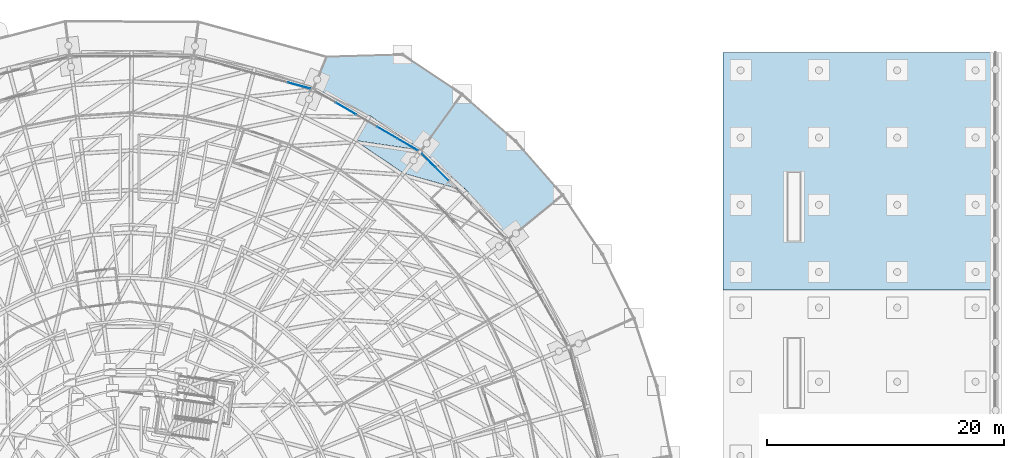
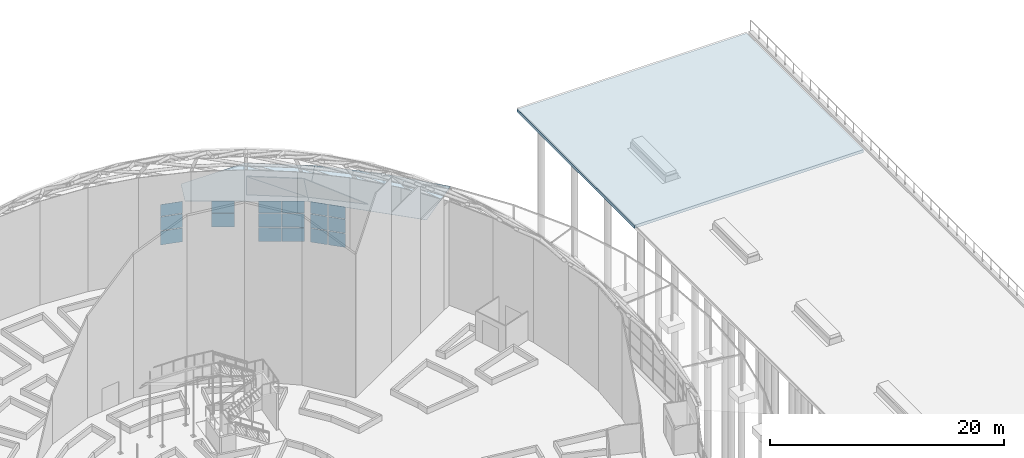
# One storey, part 158 of 226: 22 plates, 1 slab, 3 elements without a shape of their own.
"""IFC4 building model written with IfcOpenShell, lengths in metres."""

from ifc_helpers import new_model, si_unit, direction, frame, origin, origin_2d, place, context, subcontext, project, spatial, polyline, rectangle, outline, extrude, material, layer, layer_set, type_object, element, aggregate, save


model = new_model("IFC4")

# Units and contexts
model_context = context("Model", 3, precision=1e-05, world=origin(), true_north=direction((0.0, 1.0)))
body_context = subcontext(model_context, "Body", "Model", "MODEL_VIEW")
ifc_project = project(units=[si_unit("LENGTHUNIT", "METRE"), si_unit("AREAUNIT", "SQUARE_METRE"), si_unit("VOLUMEUNIT", "CUBIC_METRE"), si_unit("PLANEANGLEUNIT", "RADIAN"), si_unit("MASSUNIT", "GRAM", prefix="KILO")], contexts=[model_context])

# Site, building, storey
site_placement = place(None, origin())
site = spatial("IfcSite", under=ifc_project, at=site_placement, CompositionType="ELEMENT")
building_placement = place(site_placement, origin())
building = spatial("IfcBuilding", under=site, at=building_placement, Name="Ceibo Conservatory and Research Tower", CompositionType="ELEMENT")
storey_placement = place(building_placement, origin())
storey = spatial("IfcBuildingStorey", under=building, at=storey_placement, Name="L00", CompositionType="ELEMENT", Elevation=0.0)

# Plates
ifc_material_1 = material(Name="Laminated glass", Category="glass")
ifc_layer_1 = layer(ifc_material_1, 0.02490234375)
ifc_layer_set_1 = layer_set([ifc_layer_1], Name="Laminated glass")
plate_type_1 = type_object("IfcPlateType", Name="Canopy glass 25", PredefinedType="SHEET", material=ifc_layer_set_1)
plate_1_placement = place(storey_placement, frame((188.0390625, 132.363037109375, 4.07275390625), z_axis=(-0.032399473251, -0.032271892088, -0.998953852345), x_axis=(-0.70401327518, 0.710186803858, -0.000109527201)))
element("IfcPlate", 1, at=plate_1_placement, inside=storey, type_object=plate_type_1, Name="Brim canopy plate A-CP03", PredefinedType="SHEET", context=body_context, shape_type="SweptSolid", body=[
    extrude(outline(polyline([(0.0, 0.0), (10.507265108545, -8.881784197001252e-16), (11.456869378744157, 5.68002471924514), (5.454453826027041, 6.100185760390339), (-0.5514018001971586, 5.73245075922043), (0.0, 0.0)])), origin(), (0.0, 0.0, 1.0), 0.02490234375),
])
plate_2_placement = place(storey_placement, frame((180.641845703125, 139.8251953125, 4.07275390625), z_axis=(-0.022985982183, -0.039445822889, -0.99895729222), x_axis=(-0.863831514347, 0.503780819965, -1.6049937e-05)))
element("IfcPlate", 2, at=plate_2_placement, inside=storey, type_object=plate_type_1, Name="Brim canopy plate A-CP04", PredefinedType="SHEET", context=body_context, shape_type="SweptSolid", body=[
    extrude(outline(polyline([(0.0, 0.0), (10.507447211632623, 0.0), (10.866316722874252, 2.7292034137246515), (5.454555761641787, 6.100204114682614), (-0.551280969598366, 5.732409779271425), (0.0, 0.0)])), origin(), (0.0, 0.0, 1.0), 0.02490234375),
])

# Curtain wall, plates
ifc_material_2 = material(Name="Aluminium and glass", Category="aluminium")
curtain_wall_type = type_object("IfcCurtainWallType", Name="Drum curtain wall", PredefinedType="NOTDEFINED", material=ifc_material_2)
curtain_wall_1_placement = place(storey_placement, origin())
curtain_wall_1 = element("IfcCurtainWall", 3, at=curtain_wall_1_placement, inside=storey, type_object=curtain_wall_type, Name="Drum curtain wall A-CW03E", PredefinedType="NOTDEFINED")
ifc_layer_2 = layer(ifc_material_1, 0.028076171875)
ifc_layer_set_2 = layer_set([ifc_layer_2], Name="Laminated glass")
plate_type_2 = type_object("IfcPlateType", Name="Drum glass 28", PredefinedType="CURTAIN_PANEL", material=ifc_layer_set_2)
plate_3_placement = place(storey_placement, frame((182.3203125, 137.780029296875, 0.06005859375), z_axis=(0.0, 0.0, 1.0), x_axis=(-0.704014749779, 0.71018535052, 0.0)))
plate_3 = element("IfcPlate", 4, at=plate_3_placement, type_object=plate_type_2, Name="A-CW03E panel 1.1", PredefinedType="CURTAIN_PANEL", context=body_context, shape_type="SweptSolid", body=[
    extrude(rectangle(XDim=1.51904296875, YDim=0.028076171875, at=origin_2d()), origin(), (0.0, 0.0, 1.0), 1.43994140625),
])
plate_4_placement = place(storey_placement, frame((182.3203125, 137.780029296875, 1.56005859375), z_axis=(0.0, 0.0, 1.0), x_axis=(-0.704014749779, 0.71018535052, 0.0)))
plate_4 = element("IfcPlate", 5, at=plate_4_placement, type_object=plate_type_2, Name="A-CW03E panel 1.2", PredefinedType="CURTAIN_PANEL", context=body_context, shape_type="SweptSolid", body=[
    extrude(rectangle(XDim=1.51904296875, YDim=0.028076171875, at=origin_2d()), origin(), (0.0, 0.0, 1.0), 1.425048828125),
])
plate_5_placement = place(storey_placement, frame((182.3203125, 137.780029296875, 3.044921875), z_axis=(0.0, 0.0, 1.0), x_axis=(-0.704014749779, 0.71018535052, 0.0)))
plate_5 = element("IfcPlate", 6, at=plate_5_placement, type_object=plate_type_2, Name="A-CW03E panel 1.3", PredefinedType="CURTAIN_PANEL", context=body_context, shape_type="SweptSolid", body=[
    extrude(rectangle(XDim=1.51904296875, YDim=0.028076171875, at=origin_2d()), origin(), (0.0, 0.0, 1.0), 1.233154296875),
])
plate_6_placement = place(storey_placement, frame((181.208740234375, 138.9013671875, 0.06005859375), z_axis=(0.0, 0.0, 1.0), x_axis=(-0.704014749779, 0.71018535052, 0.0)))
plate_6 = element("IfcPlate", 7, at=plate_6_placement, type_object=plate_type_2, Name="A-CW03E panel 2.1", PredefinedType="CURTAIN_PANEL", context=body_context, shape_type="SweptSolid", body=[
    extrude(rectangle(XDim=1.51904296875, YDim=0.028076171875, at=origin_2d()), origin(), (0.0, 0.0, 1.0), 1.43994140625),
])
plate_7_placement = place(storey_placement, frame((181.208740234375, 138.9013671875, 1.56005859375), z_axis=(0.0, 0.0, 1.0), x_axis=(-0.704014749779, 0.71018535052, 0.0)))
plate_7 = element("IfcPlate", 8, at=plate_7_placement, type_object=plate_type_2, Name="A-CW03E panel 2.2", PredefinedType="CURTAIN_PANEL", context=body_context, shape_type="SweptSolid", body=[
    extrude(rectangle(XDim=1.51904296875, YDim=0.028076171875, at=origin_2d()), origin(), (0.0, 0.0, 1.0), 1.425048828125),
])
plate_8_placement = place(storey_placement, frame((181.208740234375, 138.9013671875, 3.044921875), z_axis=(0.0, 0.0, 1.0), x_axis=(-0.704014749779, 0.71018535052, 0.0)))
plate_8 = element("IfcPlate", 9, at=plate_8_placement, type_object=plate_type_2, Name="A-CW03E panel 2.3", PredefinedType="CURTAIN_PANEL", context=body_context, shape_type="SweptSolid", body=[
    extrude(rectangle(XDim=1.51904296875, YDim=0.028076171875, at=origin_2d()), origin(), (0.0, 0.0, 1.0), 1.233154296875),
])
aggregate(curtain_wall_1, [plate_3, plate_4, plate_5, plate_6, plate_7, plate_8])

curtain_wall_2_placement = place(storey_placement, origin())
curtain_wall_2 = element("IfcCurtainWall", 10, at=curtain_wall_2_placement, inside=storey, type_object=curtain_wall_type, Name="Drum curtain wall A-CW04", PredefinedType="NOTDEFINED")
plate_9_placement = place(storey_placement, frame((179.433349609375, 140.2431640625, 0.06005859375), z_axis=(0.0, 0.0, 1.0), x_axis=(-0.863835508167, 0.503773971965, 0.0)))
plate_9 = element("IfcPlate", 11, at=plate_9_placement, type_object=plate_type_2, Name="A-CW04 panel 1.1", PredefinedType="CURTAIN_PANEL", context=body_context, shape_type="SweptSolid", body=[
    extrude(rectangle(XDim=1.917236328125, YDim=0.028076171875, at=origin_2d()), origin(), (0.0, 0.0, 1.0), 1.43994140625),
])
plate_10_placement = place(storey_placement, frame((179.433349609375, 140.2431640625, 1.56005859375), z_axis=(0.0, 0.0, 1.0), x_axis=(-0.863835508167, 0.503773971965, 0.0)))
plate_10 = element("IfcPlate", 12, at=plate_10_placement, type_object=plate_type_2, Name="A-CW04 panel 1.2", PredefinedType="CURTAIN_PANEL", context=body_context, shape_type="SweptSolid", body=[
    extrude(rectangle(XDim=1.917236328125, YDim=0.028076171875, at=origin_2d()), origin(), (0.0, 0.0, 1.0), 1.425048828125),
])
plate_11_placement = place(storey_placement, frame((179.433349609375, 140.2431640625, 3.044921875), z_axis=(0.0, 0.0, 1.0), x_axis=(-0.863835508167, 0.503773971965, 0.0)))
plate_11 = element("IfcPlate", 13, at=plate_11_placement, type_object=plate_type_2, Name="A-CW04 panel 1.3", PredefinedType="CURTAIN_PANEL", context=body_context, shape_type="SweptSolid", body=[
    extrude(rectangle(XDim=1.917236328125, YDim=0.028076171875, at=origin_2d()), origin(), (0.0, 0.0, 1.0), 1.233154296875),
])
plate_12_placement = place(storey_placement, frame((177.71240234375, 141.24658203125, 0.06005859375), z_axis=(0.0, 0.0, 1.0), x_axis=(-0.863835508167, 0.503773971965, 0.0)))
plate_12 = element("IfcPlate", 14, at=plate_12_placement, type_object=plate_type_2, Name="A-CW04 panel 2.1", PredefinedType="CURTAIN_PANEL", context=body_context, shape_type="SweptSolid", body=[
    extrude(rectangle(XDim=1.947021484375, YDim=0.028076171875, at=origin_2d()), origin(), (0.0, 0.0, 1.0), 1.43994140625),
])
plate_13_placement = place(storey_placement, frame((177.71240234375, 141.24658203125, 1.56005859375), z_axis=(0.0, 0.0, 1.0), x_axis=(-0.863835508167, 0.503773971965, 0.0)))
plate_13 = element("IfcPlate", 15, at=plate_13_placement, type_object=plate_type_2, Name="A-CW04 panel 2.2", PredefinedType="CURTAIN_PANEL", context=body_context, shape_type="SweptSolid", body=[
    extrude(rectangle(XDim=1.947021484375, YDim=0.028076171875, at=origin_2d()), origin(), (0.0, 0.0, 1.0), 1.425048828125),
])
plate_14_placement = place(storey_placement, frame((177.71240234375, 141.24658203125, 3.044921875), z_axis=(0.0, 0.0, 1.0), x_axis=(-0.863835508167, 0.503773971965, 0.0)))
plate_14 = element("IfcPlate", 16, at=plate_14_placement, type_object=plate_type_2, Name="A-CW04 panel 2.3", PredefinedType="CURTAIN_PANEL", context=body_context, shape_type="SweptSolid", body=[
    extrude(rectangle(XDim=1.947021484375, YDim=0.028076171875, at=origin_2d()), origin(), (0.0, 0.0, 1.0), 1.233154296875),
])
plate_15_placement = place(storey_placement, frame((174.24462890625, 143.26904296875, 1.56005859375), z_axis=(0.0, 0.0, 1.0), x_axis=(-0.863835508167, 0.503773971965, 0.0)))
plate_15 = element("IfcPlate", 17, at=plate_15_placement, type_object=plate_type_2, Name="A-CW04 panel 4.2", PredefinedType="CURTAIN_PANEL", context=body_context, shape_type="SweptSolid", body=[
    extrude(rectangle(XDim=1.947021484375, YDim=0.028076171875, at=origin_2d()), origin(), (0.0, 0.0, 1.0), 1.425048828125),
])
plate_16_placement = place(storey_placement, frame((174.24462890625, 143.26904296875, 3.044921875), z_axis=(0.0, 0.0, 1.0), x_axis=(-0.863835508167, 0.503773971965, 0.0)))
plate_16 = element("IfcPlate", 18, at=plate_16_placement, type_object=plate_type_2, Name="A-CW04 panel 4.3", PredefinedType="CURTAIN_PANEL", context=body_context, shape_type="SweptSolid", body=[
    extrude(rectangle(XDim=1.947021484375, YDim=0.028076171875, at=origin_2d()), origin(), (0.0, 0.0, 1.0), 1.233154296875),
])
aggregate(curtain_wall_2, [plate_9, plate_10, plate_11, plate_12, plate_13, plate_14, plate_15, plate_16])

curtain_wall_3_placement = place(storey_placement, origin())
curtain_wall_3 = element("IfcCurtainWall", 19, at=curtain_wall_3_placement, inside=storey, type_object=curtain_wall_type, Name="Drum curtain wall A-CW05", PredefinedType="NOTDEFINED")
plate_17_placement = place(storey_placement, frame((170.289794921875, 145.20947265625, 0.06005859375), z_axis=(0.0, 0.0, 1.0), x_axis=(-0.964787322837, 0.263031218095, 0.0)))
plate_17 = element("IfcPlate", 20, at=plate_17_placement, type_object=plate_type_2, Name="A-CW05 panel 1.1", PredefinedType="CURTAIN_PANEL", context=body_context, shape_type="SweptSolid", body=[
    extrude(rectangle(XDim=1.917236328125, YDim=0.028076171875, at=origin_2d()), origin(), (0.0, 0.0, 1.0), 1.43994140625),
])
plate_18_placement = place(storey_placement, frame((170.289794921875, 145.20947265625, 1.56005859375), z_axis=(0.0, 0.0, 1.0), x_axis=(-0.964787322837, 0.263031218095, 0.0)))
plate_18 = element("IfcPlate", 21, at=plate_18_placement, type_object=plate_type_2, Name="A-CW05 panel 1.2", PredefinedType="CURTAIN_PANEL", context=body_context, shape_type="SweptSolid", body=[
    extrude(rectangle(XDim=1.917236328125, YDim=0.028076171875, at=origin_2d()), origin(), (0.0, 0.0, 1.0), 1.425048828125),
])
plate_19_placement = place(storey_placement, frame((170.289794921875, 145.20947265625, 3.044921875), z_axis=(0.0, 0.0, 1.0), x_axis=(-0.964787322837, 0.263031218095, 0.0)))
plate_19 = element("IfcPlate", 22, at=plate_19_placement, type_object=plate_type_2, Name="A-CW05 panel 1.3", PredefinedType="CURTAIN_PANEL", context=body_context, shape_type="SweptSolid", body=[
    extrude(rectangle(XDim=1.917236328125, YDim=0.028076171875, at=origin_2d()), origin(), (0.0, 0.0, 1.0), 1.233154296875),
])
aggregate(curtain_wall_3, [plate_17, plate_18, plate_19])

# Plates
ifc_layer_3 = layer(ifc_material_1, 0.035888671875)
ifc_layer_set_3 = layer_set([ifc_layer_3], Name="Laminated glass")
plate_type_3 = type_object("IfcPlateType", Name="Gridshell roof glass 36", PredefinedType="SHEET", material=ifc_layer_set_3)
plate_20_placement = place(storey_placement, frame((184.52587890625, 136.27880859375, 4.601806640625), z_axis=(0.550014692327, 0.621519302072, 0.557850871987), x_axis=(-0.748871483831, 0.662715248583, 0.0)))
element("IfcPlate", 23, at=plate_20_placement, inside=storey, type_object=plate_type_3, Name="Glass panel A-P01-011", PredefinedType="SHEET", context=body_context, shape_type="SweptSolid", body=[
    extrude(outline(polyline([(0.0, 0.0), (5.253673369624577, -2.220446049250313e-16), (5.093223811778246, 4.375133432903766), (0.0, 0.0)])), origin(), (0.0, 0.0, -1.0), 0.035888671875),
])
plate_21_placement = place(storey_placement, frame((180.591552734375, 139.760498046875, 4.601806640625), z_axis=(0.464034461216, 0.68820271727, 0.557717705247), x_axis=(-0.829129233549, 0.559056986428, 0.0)))
element("IfcPlate", 24, at=plate_21_placement, inside=storey, type_object=plate_type_3, Name="Glass panel A-P01-013", PredefinedType="SHEET", context=body_context, shape_type="SweptSolid", body=[
    extrude(outline(polyline([(0.0, 0.0), (5.253947147933437, 0.0), (5.094956012465321, 4.374661708386486), (0.0, 0.0)])), origin(), (0.0, 0.0, -1.0), 0.035888671875),
])
plate_22_placement = place(storey_placement, frame((180.591552734375, 139.760498046875, 4.601806640625), z_axis=(0.464101988364, 0.688043618421, 0.55785779868), x_axis=(-0.83217692506, 0.122917876087, 0.540715046152)))
element("IfcPlate", 25, at=plate_22_placement, inside=storey, type_object=plate_type_3, Name="Glass panel A-P01-014", PredefinedType="SHEET", context=body_context, shape_type="SweptSolid", body=[
    extrude(outline(polyline([(0.0, 0.0), (6.715373543726326, 4.440892098500626e-16), (2.971689587025395, 3.2150579488852484), (0.0, 0.0)])), origin(), (0.0, 0.0, -1.0), 0.035888671875),
])

# Slab
ifc_material_3 = material(Name="Concrete C35/45", Category="concrete")
ifc_layer_4 = layer(ifc_material_3, 0.300048828125)
ifc_layer_set_4 = layer_set([ifc_layer_4], Name="Concrete C35/45")
slab_type = type_object("IfcSlabType", Name="RC quay deck slab 300", PredefinedType="BASESLAB", material=ifc_layer_set_4)
slab_placement = place(storey_placement, frame((0.0, 0.0, -0.449951171875)))
element("IfcSlab", 26, at=slab_placement, inside=storey, type_object=slab_type, Name="Quay deck slab S3", PredefinedType="BASESLAB", context=body_context, shape_type="SweptSolid", body=[
    extrude(outline(polyline([(228.60009765625, 128.0), (228.60009765625, 148.0), (206.0, 148.0), (206.0, 128.0), (228.60009765625, 128.0)])), origin(), (0.0, 0.0, 1.0), 0.300048828125),
])

save(model, "model.ifc")
